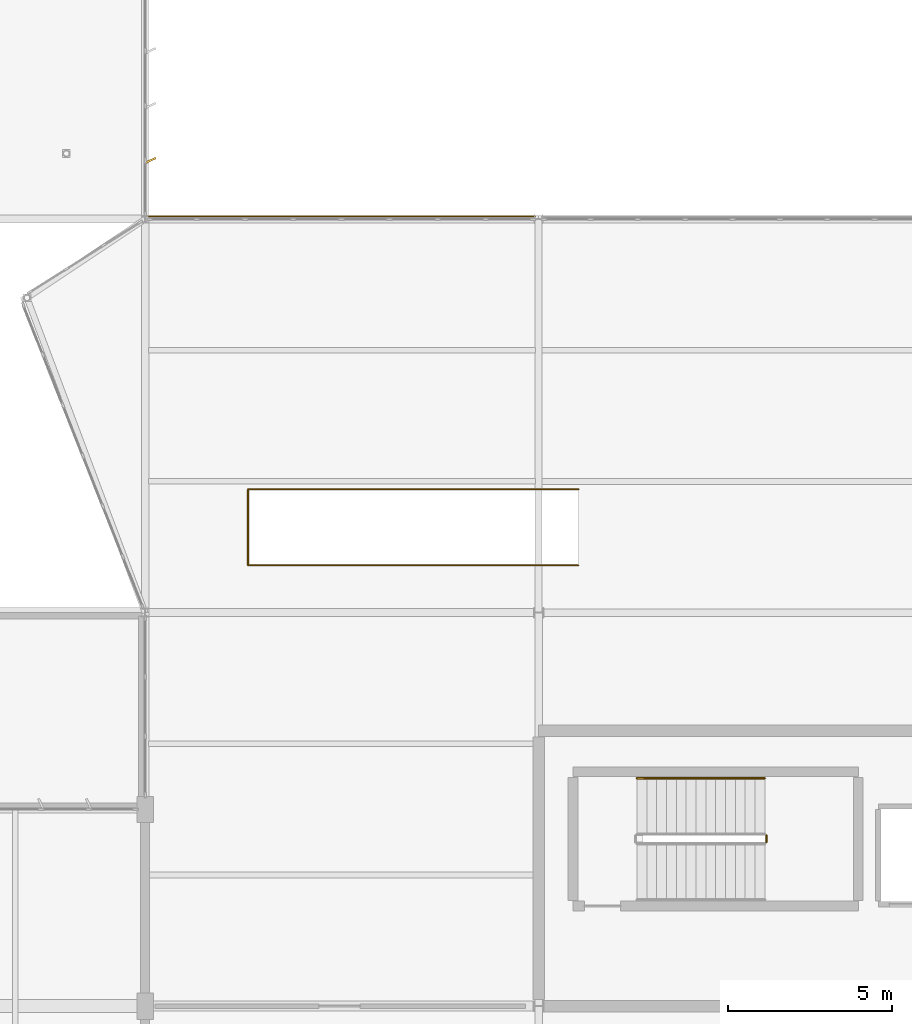
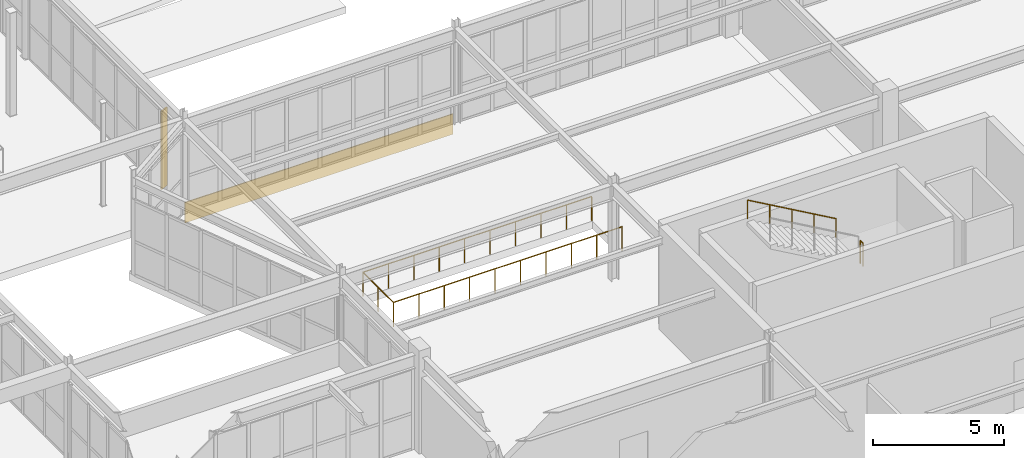
# One storey, part 218 of 226: 3 railings, 1 covering, 1 shading device.
"""IFC4 building model written with IfcOpenShell, lengths in metres."""

from ifc_helpers import new_model, si_unit, direction, frame, origin, origin_2d, place, context, subcontext, project, spatial, rectangle, circle, extrude, material, layer, layer_set, type_object, element, save


model = new_model("IFC4")

# Units and contexts
model_context = context("Model", 3, precision=1e-05, world=origin(), true_north=direction((0.0, 1.0)))
body_context = subcontext(model_context, "Body", "Model", "MODEL_VIEW")
ifc_project = project(units=[si_unit("LENGTHUNIT", "METRE"), si_unit("AREAUNIT", "SQUARE_METRE"), si_unit("VOLUMEUNIT", "CUBIC_METRE"), si_unit("PLANEANGLEUNIT", "RADIAN"), si_unit("MASSUNIT", "GRAM", prefix="KILO")], contexts=[model_context])

# Site, building, storey
site_placement = place(None, origin())
site = spatial("IfcSite", under=ifc_project, at=site_placement, CompositionType="ELEMENT")
building_placement = place(site_placement, origin())
building = spatial("IfcBuilding", under=site, at=building_placement, Name="Tarnwether General Hospital", CompositionType="ELEMENT")
storey_placement = place(building_placement, frame((0.0, 0.0, 4.800048828125)))
storey = spatial("IfcBuildingStorey", under=building, at=storey_placement, Name="L01", CompositionType="ELEMENT", Elevation=4.800048828125)

# Covering
ifc_material_1 = material(Name="Folded zinc-titanium cladding")
ifc_layer_1 = layer(ifc_material_1, 0.0400390625)
ifc_layer_set_1 = layer_set([ifc_layer_1], Name="Folded zinc-titanium cladding")
covering_type = type_object("IfcCoveringType", Name="CV-CLD-ZNC", PredefinedType="CLADDING", material=ifc_layer_set_1)
covering_placement = place(storey_placement, frame((150.0, 45.68994140625, -0.55517578125), z_axis=(0.0, 0.0, 1.0), x_axis=(1.0, 0.0, 0.0)))
element("IfcCovering", 1, at=covering_placement, inside=storey, type_object=covering_type, Name="Deconstructivist Faceted Zinc Spandrel Blade 005", PredefinedType="CLADDING", context=body_context, shape_type="SweptSolid", body=[
    extrude(rectangle(XDim=11.800048828125, YDim=0.0400390625, at=origin_2d()), origin(), (0.0, 0.0, 1.0), 0.949951171875),
])

# Railings
ifc_material_2 = material(Name="Anodised aluminium", Category="aluminium")
railing_type_1 = type_object("IfcRailingType", Name="RL-GRD-EXT", PredefinedType="GUARDRAIL", material=ifc_material_2)
railing_1_placement = place(storey_placement, frame((157.219970703125, 35.0400390625, 0.0)))
element("IfcRailing", 2, at=railing_1_placement, inside=storey, type_object=railing_type_1, Name="Feature Stair Well Guard ST-13 L01", PredefinedType="GUARDRAIL", context=body_context, shape_type="SweptSolid", body=[
    extrude(circle(Radius=0.02392578125, at=origin_2d()), frame((0.0, 0.0, 1.1259765625), z_axis=(-1.0, 0.0, 0.0), x_axis=(0.0, -1.0, 0.0)), (0.0, 0.0, 1.0), 10.080078125),
    extrude(circle(Radius=0.02392578125, at=origin_2d()), frame((-10.080078125, 0.0, 1.1259765625), z_axis=(0.0, 1.0, 0.0), x_axis=(-1.0, 0.0, 0.0)), (0.0, 0.0, 1.0), 2.320068359375),
    extrude(circle(Radius=0.02392578125, at=origin_2d()), frame((-10.080078125, 2.320068359375, 1.1259765625), z_axis=(1.0, 0.0, 0.0), x_axis=(0.0, 1.0, 0.0)), (0.0, 0.0, 1.0), 10.080078125),
    extrude(circle(Radius=0.02099609375, at=origin_2d()), origin(), (0.0, 0.0, 1.0), 1.101806640625),
    extrude(circle(Radius=0.02099609375, at=origin_2d()), frame((-1.1201171875, 0.0, 0.0)), (0.0, 0.0, 1.0), 1.101806640625),
    extrude(circle(Radius=0.02099609375, at=origin_2d()), frame((-2.239990234375, 0.0, 0.0)), (0.0, 0.0, 1.0), 1.101806640625),
    extrude(circle(Radius=0.02099609375, at=origin_2d()), frame((-3.360107421875, 0.0, 0.0)), (0.0, 0.0, 1.0), 1.101806640625),
    extrude(circle(Radius=0.02099609375, at=origin_2d()), frame((-4.47998046875, 0.0, 0.0)), (0.0, 0.0, 1.0), 1.101806640625),
    extrude(circle(Radius=0.02099609375, at=origin_2d()), frame((-5.60009765625, 0.0, 0.0)), (0.0, 0.0, 1.0), 1.101806640625),
    extrude(circle(Radius=0.02099609375, at=origin_2d()), frame((-6.719970703125, 0.0, 0.0)), (0.0, 0.0, 1.0), 1.101806640625),
    extrude(circle(Radius=0.02099609375, at=origin_2d()), frame((-7.840087890625, 0.0, 0.0)), (0.0, 0.0, 1.0), 1.101806640625),
    extrude(circle(Radius=0.02099609375, at=origin_2d()), frame((-8.9599609375, 0.0, 0.0)), (0.0, 0.0, 1.0), 1.101806640625),
    extrude(circle(Radius=0.02099609375, at=origin_2d()), frame((-10.080078125, 0.0, 0.0)), (0.0, 0.0, 1.0), 1.101806640625),
    extrude(circle(Radius=0.02099609375, at=origin_2d()), frame((-10.080078125, 1.16015625, 0.0)), (0.0, 0.0, 1.0), 1.101806640625),
    extrude(circle(Radius=0.02099609375, at=origin_2d()), frame((-10.080078125, 2.320068359375, 0.0)), (0.0, 0.0, 1.0), 1.101806640625),
    extrude(circle(Radius=0.02099609375, at=origin_2d()), frame((-8.9599609375, 2.320068359375, 0.0)), (0.0, 0.0, 1.0), 1.101806640625),
    extrude(circle(Radius=0.02099609375, at=origin_2d()), frame((-7.840087890625, 2.320068359375, 0.0)), (0.0, 0.0, 1.0), 1.101806640625),
    extrude(circle(Radius=0.02099609375, at=origin_2d()), frame((-6.719970703125, 2.320068359375, 0.0)), (0.0, 0.0, 1.0), 1.101806640625),
    extrude(circle(Radius=0.02099609375, at=origin_2d()), frame((-5.60009765625, 2.320068359375, 0.0)), (0.0, 0.0, 1.0), 1.101806640625),
    extrude(circle(Radius=0.02099609375, at=origin_2d()), frame((-4.47998046875, 2.320068359375, 0.0)), (0.0, 0.0, 1.0), 1.101806640625),
    extrude(circle(Radius=0.02099609375, at=origin_2d()), frame((-3.360107421875, 2.320068359375, 0.0)), (0.0, 0.0, 1.0), 1.101806640625),
    extrude(circle(Radius=0.02099609375, at=origin_2d()), frame((-2.239990234375, 2.320068359375, 0.0)), (0.0, 0.0, 1.0), 1.101806640625),
    extrude(circle(Radius=0.02099609375, at=origin_2d()), frame((-1.1201171875, 2.320068359375, 0.0)), (0.0, 0.0, 1.0), 1.101806640625),
    extrude(circle(Radius=0.02099609375, at=origin_2d()), frame((0.0, 2.320068359375, 0.0)), (0.0, 0.0, 1.0), 1.101806640625),
])
ifc_material_3 = material(Name="Anodised aluminium", Category="aluminium")
railing_type_2 = type_object("IfcRailingType", Name="RL-GRD-INT", PredefinedType="GUARDRAIL", material=ifc_material_3)
railing_2_placement = place(storey_placement, frame((162.949951171875, 26.60009765625, 2.39990234375)))
element("IfcRailing", 3, at=railing_2_placement, inside=storey, type_object=railing_type_2, Name="L01 ST-05 stair guard 2", PredefinedType="GUARDRAIL", context=body_context, shape_type="SweptSolid", body=[
    extrude(circle(Radius=0.02392578125, at=origin_2d()), frame((0.0, 0.0, 1.076171875), z_axis=(0.0, 1.0, 0.0), x_axis=(-1.0, 0.0, 0.0)), (0.0, 0.0, 1.0), 0.199951171875),
    extrude(circle(Radius=0.02099609375, at=origin_2d()), origin(), (0.0, 0.0, 1.0), 1.052001953125),
    extrude(circle(Radius=0.02099609375, at=origin_2d()), frame((0.0, 0.199951171875, 0.0)), (0.0, 0.0, 1.0), 1.052001953125),
])
ifc_material_4 = material(Name="Anodised aluminium", Category="aluminium")
railing_type_3 = type_object("IfcRailingType", Name="RL-HND-INT", PredefinedType="HANDRAIL", material=ifc_material_4)
railing_3_placement = place(storey_placement, frame((162.89990234375, 28.550048828125, 2.5712890625)))
element("IfcRailing", 4, at=railing_3_placement, inside=storey, type_object=railing_type_3, Name="L01 ST-05 stair handrail 2", PredefinedType="HANDRAIL", context=body_context, shape_type="SweptSolid", body=[
    extrude(circle(Radius=0.02392578125, at=origin_2d()), frame((0.0, 0.0, 0.8759765625), z_axis=(-0.868219727965, 0.0, 0.496179910892), x_axis=(0.0, -1.0, 0.0)), (0.0, 0.0, 1.0), 4.491943359375),
    extrude(circle(Radius=0.02099609375, at=origin_2d()), origin(), (0.0, 0.0, 1.0), 0.851806640625),
    extrude(circle(Radius=0.02099609375, at=origin_2d()), frame((-0.97509765625, 0.0, 0.55712890625)), (0.0, 0.0, 1.0), 0.851806640625),
    extrude(circle(Radius=0.02099609375, at=origin_2d()), frame((-1.949951171875, 0.0, 1.1142578125)), (0.0, 0.0, 1.0), 0.851806640625),
    extrude(circle(Radius=0.02099609375, at=origin_2d()), frame((-2.9248046875, 0.0, 1.671630859375)), (0.0, 0.0, 1.0), 0.851806640625),
    extrude(circle(Radius=0.02099609375, at=origin_2d()), frame((-3.89990234375, 0.0, 2.228759765625)), (0.0, 0.0, 1.0), 0.851806640625),
])

# Shading device
ifc_material_5 = material(Name="Champagne-bronze anodised aluminium", Category="aluminium")
ifc_layer_2 = layer(ifc_material_5, 0.06005859375)
ifc_layer_set_2 = layer_set([ifc_layer_2], Name="Champagne-bronze anodised aluminium")
shading_device_type = type_object("IfcShadingDeviceType", Name="SH-FIN-BRZ", PredefinedType="USERDEFINED", material=ifc_layer_set_2)
shading_device_placement = place(storey_placement, frame((144.159912109375, 47.386962890625, 0.0498046875), z_axis=(0.0, 0.0, 1.0), x_axis=(0.422618261741, -0.906307787037, 0.0)))
element("IfcShadingDevice", 5, at=shading_device_placement, inside=storey, type_object=shading_device_type, Name="Champagne-Bronze Brise-Soleil Fin 0247", ObjectType="SOLAR FIN", PredefinedType="USERDEFINED", context=body_context, shape_type="SweptSolid", body=[
    extrude(rectangle(XDim=0.06005859375, YDim=0.360107421875, at=origin_2d()), origin(), (0.0, 0.0, 1.0), 3.637939453125),
])

save(model, "model.ifc")
